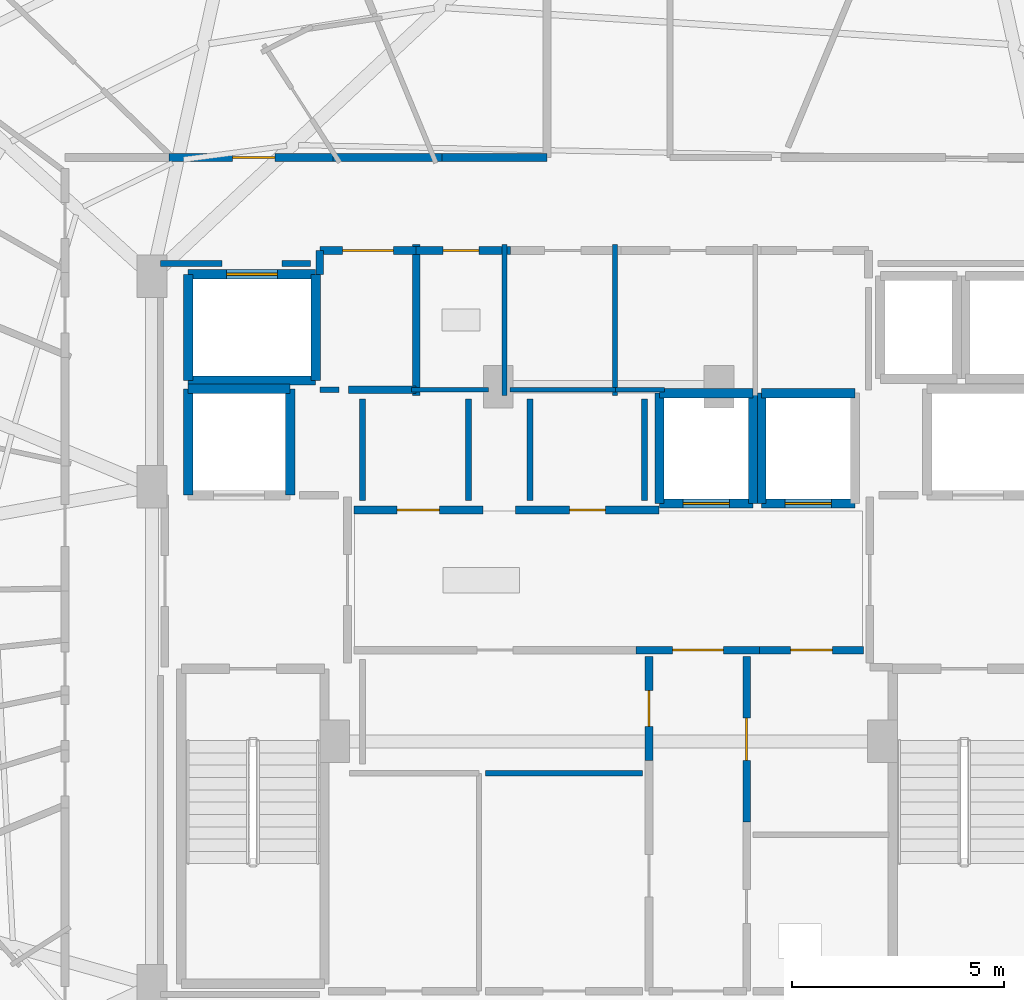
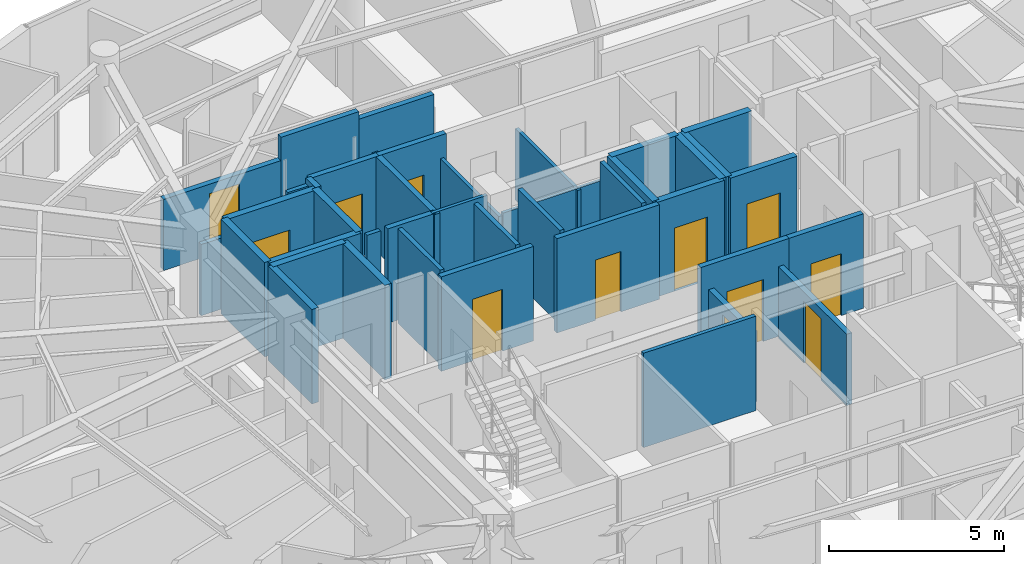
# One storey, part 25 of 31: 41 walls, 12 doors, 12 openings.
"""IFC4 building model written with IfcOpenShell, lengths in metres."""

from ifc_helpers import new_model, si_unit, direction, frame, frame_2d, origin, place, context, subcontext, project, spatial, rectangle, extrude, material, layer, layer_set, type_object, element, fill, save


model = new_model("IFC4")

# Units and contexts
model_context = context("Model", 3, precision=1e-05, world=origin(), true_north=direction((0.0, 1.0)))
body_context = subcontext(model_context, "Body", "Model", "MODEL_VIEW")
ifc_project = project(units=[si_unit("LENGTHUNIT", "METRE"), si_unit("AREAUNIT", "SQUARE_METRE"), si_unit("VOLUMEUNIT", "CUBIC_METRE"), si_unit("PLANEANGLEUNIT", "RADIAN"), si_unit("MASSUNIT", "GRAM", prefix="KILO")], contexts=[model_context])

# Site, building, storey
site_placement = place(None, origin())
site = spatial("IfcSite", under=ifc_project, at=site_placement, CompositionType="ELEMENT")
building_placement = place(site_placement, origin())
building = spatial("IfcBuilding", under=site, at=building_placement, Name="Vorneva Point Tower", CompositionType="ELEMENT")
storey_placement = place(building_placement, frame((0.0, 0.0, 248.449951171875)))
storey = spatial("IfcBuildingStorey", under=building, at=storey_placement, Name="L67", CompositionType="ELEMENT", Elevation=248.449951171875)

# Walls
ifc_material_1 = material(Name="Concrete B60 (C50/60)", Category="concrete")
ifc_layer_1 = layer(ifc_material_1, 0.35009765625)
ifc_layer_set_1 = layer_set([ifc_layer_1], Name="Concrete B60 (C50/60)")
wall_type_1 = type_object("IfcWallType", Name="WL-CORE-350", PredefinedType="SHEAR", material=ifc_layer_set_1)
wall_1_placement = place(storey_placement, frame((30.5, 28.0, 0.0), z_axis=(0.0, 0.0, 1.0), x_axis=(0.0, 1.0, 0.0)))
element("IfcWall", 1, at=wall_1_placement, inside=storey, type_object=wall_type_1, Name="L67 Lift FFL1 Shaft Wall +X", PredefinedType="SHEAR", context=body_context, shape_type="SweptSolid", body=[
    extrude(rectangle(XDim=2.5, YDim=0.219970703125, at=frame_2d((1.25, 0.0))), origin(), (0.0, 0.0, 1.0), 3.2900390625),
])
wall_2_placement = place(storey_placement, frame((30.5, 30.5, 0.0), z_axis=(0.0, 0.0, 1.0), x_axis=(-1.0, 0.0, 0.0)))
element("IfcWall", 2, at=wall_2_placement, inside=storey, type_object=wall_type_1, Name="L67 Lift FFL1 Shaft Wall +Y", PredefinedType="SHEAR", context=body_context, shape_type="SweptSolid", body=[
    extrude(rectangle(XDim=2.39990234375, YDim=0.219970703125, at=frame_2d((1.199951171875, 0.0))), origin(), (0.0, 0.0, 1.0), 3.2900390625),
])
wall_3_placement = place(storey_placement, frame((28.10009765625, 30.5, 0.0), z_axis=(0.0, 0.0, 1.0), x_axis=(0.0, -1.0, 0.0)))
element("IfcWall", 3, at=wall_3_placement, inside=storey, type_object=wall_type_1, Name="L67 Lift FFL1 Shaft Wall -X", PredefinedType="SHEAR", context=body_context, shape_type="SweptSolid", body=[
    extrude(rectangle(XDim=2.5, YDim=0.219970703125, at=frame_2d((1.25, 0.0))), origin(), (0.0, 0.0, 1.0), 3.2900390625),
])
ifc_material_2 = material(Name="Fire-rated acoustic gypsum stud partition", Category="gypsum")
ifc_layer_2 = layer(ifc_material_2, 0.110107421875)
ifc_layer_set_2 = layer_set([ifc_layer_2], Name="Fire-rated acoustic gypsum stud partition")
wall_type_2 = type_object("IfcWallType", Name="WL-PART-110", PredefinedType="PARTITIONING", material=ifc_layer_set_2)
wall_4_placement = place(storey_placement, frame((35.550048828125, 30.340087890625, 0.0), z_axis=(0.0, 0.0, 1.0), x_axis=(0.0, 1.0, 0.0)))
element("IfcWall", 4, at=wall_4_placement, inside=storey, type_object=wall_type_2, Name="L67 Interior Partition 022", PredefinedType="PARTITIONING", context=body_context, shape_type="SweptSolid", body=[
    extrude(rectangle(XDim=3.559814453125, YDim=0.110107421875, at=frame_2d((1.77978515625, 0.0))), origin(), (0.0, 0.0, 1.0), 2.48193359375),
])
wall_5_placement = place(storey_placement, frame((33.360107421875, 30.47998046875, 0.0), z_axis=(0.0, 0.0, 1.0), x_axis=(1.0, 0.0, 0.0)))
element("IfcWall", 5, at=wall_5_placement, inside=storey, type_object=wall_type_2, Name="L67 Interior Partition 023", PredefinedType="PARTITIONING", context=body_context, shape_type="SweptSolid", body=[
    extrude(rectangle(XDim=1.809814453125, YDim=0.110107421875, at=frame_2d((0.90478515625, 0.0))), origin(), (0.0, 0.0, 1.0), 3.2900390625),
])
wall_6_placement = place(storey_placement, frame((38.14990234375, 30.340087890625, 0.0), z_axis=(0.0, 0.0, 1.0), x_axis=(0.0, 1.0, 0.0)))
element("IfcWall", 6, at=wall_6_placement, inside=storey, type_object=wall_type_2, Name="L67 Interior Partition 025", PredefinedType="PARTITIONING", context=body_context, shape_type="SweptSolid", body=[
    extrude(rectangle(XDim=3.559814453125, YDim=0.110107421875, at=frame_2d((1.77978515625, 0.0))), origin(), (0.0, 0.0, 1.0), 2.48193359375),
])
wall_7_placement = place(storey_placement, frame((35.679931640625, 30.47998046875, 0.0), z_axis=(0.0, 0.0, 1.0), x_axis=(1.0, 0.0, 0.0)))
element("IfcWall", 7, at=wall_7_placement, inside=storey, type_object=wall_type_2, Name="L67 Interior Partition 026", PredefinedType="PARTITIONING", context=body_context, shape_type="SweptSolid", body=[
    extrude(rectangle(XDim=2.594970703125, YDim=0.110107421875, at=frame_2d((1.29736328125, 0.0))), origin(), (0.0, 0.0, 1.0), 2.48193359375),
])
wall_8_placement = place(storey_placement, frame((38.1650390625, 30.47998046875, 0.0), z_axis=(0.0, 0.0, 1.0), x_axis=(1.0, 0.0, 0.0)))
element("IfcWall", 8, at=wall_8_placement, inside=storey, type_object=wall_type_2, Name="L67 Interior Partition 029", PredefinedType="PARTITIONING", context=body_context, shape_type="SweptSolid", body=[
    extrude(rectangle(XDim=1.155029296875, YDim=0.110107421875, at=frame_2d((0.57763671875, 0.0))), origin(), (0.0, 0.0, 1.0), 2.48193359375),
])
ifc_layer_3 = layer(ifc_material_2, 0.125)
ifc_layer_set_3 = layer_set([ifc_layer_3], Name="Fire-rated acoustic gypsum stud partition")
wall_type_3 = type_object("IfcWallType", Name="WL-PART-125", PredefinedType="PARTITIONING", material=ifc_layer_set_3)
wall_9_placement = place(storey_placement, frame((38.800048828125, 21.449951171875, 0.0), z_axis=(0.0, 0.0, 1.0), x_axis=(-1.0, 0.0, 0.0)))
element("IfcWall", 9, at=wall_9_placement, inside=storey, type_object=wall_type_3, Name="L67 Interior Partition 036", PredefinedType="PARTITIONING", context=body_context, shape_type="SweptSolid", body=[
    extrude(rectangle(XDim=3.699951171875, YDim=0.125, at=frame_2d((1.85009765625, 0.0))), origin(), (0.0, 0.0, 1.0), 3.2900390625),
])
ifc_layer_4 = layer(ifc_material_2, 0.139892578125)
ifc_layer_set_4 = layer_set([ifc_layer_4], Name="Fire-rated acoustic gypsum stud partition")
wall_type_4 = type_object("IfcWallType", Name="WL-PART-140", PredefinedType="PARTITIONING", material=ifc_layer_set_4)
wall_10_placement = place(storey_placement, frame((31.199951171875, 30.47998046875, 0.0), z_axis=(0.0, 0.0, 1.0), x_axis=(1.0, 0.0, 0.0)))
element("IfcWall", 10, at=wall_10_placement, inside=storey, type_object=wall_type_4, Name="L67 Interior Closure Partition 130", PredefinedType="PARTITIONING", context=body_context, shape_type="SweptSolid", body=[
    extrude(rectangle(XDim=0.449951171875, YDim=0.139892578125, at=frame_2d((0.22509765625, 0.0))), origin(), (0.0, 0.0, 1.0), 3.2900390625),
])
for number, where, z_axis, x_axis, name in (
    (11, (32.199951171875, 30.260009765625, 0.0), (0.0, 0.0, 1.0), (0.0, -1.0, 0.0), "L67 Interior Closure Partition 132"),
    (12, (34.699951171875, 27.8701171875, 0.0), (0.0, 0.0, 1.0), (0.0, 1.0, 0.0), "L67 Interior Closure Partition 133"),
    (13, (36.14990234375, 30.260009765625, 0.0), (0.0, 0.0, 1.0), (0.0, -1.0, 0.0), "L67 Interior Closure Partition 134"),
    (14, (38.85009765625, 27.8701171875, 0.0), (0.0, 0.0, 1.0), (0.0, 1.0, 0.0), "L67 Interior Closure Partition 135"),
):
    element("IfcWall", number, at=place(storey_placement, frame(where, z_axis=z_axis, x_axis=x_axis)), inside=storey, type_object=wall_type_4, Name=name, PredefinedType="PARTITIONING", context=body_context, shape_type="SweptSolid", body=[
        extrude(rectangle(XDim=2.389892578125, YDim=0.139892578125, at=frame_2d((1.19482421875, 0.0))), origin(), (0.0, 0.0, 1.0), 3.2900390625),
    ])
wall_11_placement = place(storey_placement, frame((30.97998046875, 33.449951171875, 0.0), z_axis=(0.0, 0.0, 1.0), x_axis=(-1.0, 0.0, 0.0)))
element("IfcWall", 15, at=wall_11_placement, inside=storey, type_object=wall_type_4, Name="L67 Interior Closure Partition 145", PredefinedType="PARTITIONING", context=body_context, shape_type="SweptSolid", body=[
    extrude(rectangle(XDim=0.674072265625, YDim=0.139892578125, at=frame_2d((0.3369140625, 0.0))), origin(), (0.0, 0.0, 1.0), 3.2900390625),
])
wall_12_placement = place(storey_placement, frame((28.89404296875, 33.449951171875, 0.0), z_axis=(0.0, 0.0, 1.0), x_axis=(-1.0, 0.0, 0.0)))
element("IfcWall", 16, at=wall_12_placement, inside=storey, type_object=wall_type_4, Name="L67 Interior Closure Partition 146", PredefinedType="PARTITIONING", context=body_context, shape_type="SweptSolid", body=[
    extrude(rectangle(XDim=1.444091796875, YDim=0.139892578125, at=frame_2d((0.72216796875, 0.0))), origin(), (0.0, 0.0, 1.0), 2.48193359375),
])
ifc_material_3 = material(Name="Autoclaved aerated concrete blockwork", Category="masonry")
ifc_layer_5 = layer(ifc_material_3, 0.179931640625)
ifc_layer_set_5 = layer_set([ifc_layer_5], Name="Autoclaved aerated concrete blockwork")
wall_type_5 = type_object("IfcWallType", Name="WL-PART-180", PredefinedType="PARTITIONING", material=ifc_layer_set_5)
wall_13_placement = place(storey_placement, frame((33.469970703125, 30.340087890625, 0.0), z_axis=(0.0, 0.0, 1.0), x_axis=(0.0, 1.0, 0.0)))
element("IfcWall", 17, at=wall_13_placement, inside=storey, type_object=wall_type_5, Name="L67 Interior Partition 006", PredefinedType="PARTITIONING", context=body_context, shape_type="SweptSolid", body=[
    extrude(rectangle(XDim=3.559814453125, YDim=0.179931640625, at=frame_2d((1.77978515625, 0.0))), origin(), (0.0, 0.0, 1.0), 3.2900390625),
])
wall_14_placement = place(storey_placement, frame((31.8701171875, 30.47998046875, 0.0), z_axis=(0.0, 0.0, 1.0), x_axis=(1.0, 0.0, 0.0)))
element("IfcWall", 18, at=wall_14_placement, inside=storey, type_object=wall_type_5, Name="L67 Interior Partition 007", PredefinedType="PARTITIONING", context=body_context, shape_type="SweptSolid", body=[
    extrude(rectangle(XDim=1.599853515625, YDim=0.179931640625, at=frame_2d((0.7998046875, 0.0))), origin(), (0.0, 0.0, 1.0), 3.2900390625),
])

# Wall, opening, door
wall_15_placement = place(storey_placement, frame((33.469970703125, 33.760009765625, 0.0), z_axis=(0.0, 0.0, 1.0), x_axis=(-1.0, 0.0, 0.0)))
wall_15 = element("IfcWall", 19, at=wall_15_placement, inside=storey, type_object=wall_type_5, Name="L67 Interior Partition 008", PredefinedType="PARTITIONING", context=body_context, shape_type="SweptSolid", body=[
    extrude(rectangle(XDim=2.27001953125, YDim=0.179931640625, at=frame_2d((1.135009765625, 0.0))), origin(), (0.0, 0.0, 1.0), 3.2900390625),
])
opening_1_placement = place(wall_15_placement, frame((0.534912109375, 0.0, 0.0)))
opening_1 = element("IfcOpeningElement", 20, at=opening_1_placement, cuts=wall_15, Name="Opening FD-02", PredefinedType="OPENING", context=body_context, shape_type="SweptSolid", body=[
    extrude(rectangle(XDim=1.199951171875, YDim=2.14990234375, at=frame_2d((0.60009765625, 1.074951171875))), frame((0.0, 0.10498046875, 0.0), z_axis=(0.0, -1.0, 0.0), x_axis=(1.0, 0.0, 0.0)), (0.0, 0.0, 1.0), 0.209716796875),
])
ifc_material_4 = material(Name="Fire-rated powder-coated steel", Category="steel")
door_type_1 = type_object("IfcDoorType", Name="DR-FFL-1200", OperationType="NOTDEFINED", PredefinedType="DOOR", material=ifc_material_4)
door_1_placement = place(opening_1_placement, origin())
door_1 = element("IfcDoor", 21, at=door_1_placement, inside=storey, type_object=door_type_1, Name="L67 Door Service Lift Lobby / L67 Circulation Corridor", OperationType="SINGLE_SWING_LEFT", OverallHeight=2.14990234375, OverallWidth=1.199951171875, PredefinedType="DOOR", context=body_context, shape_type="SweptSolid", body=[
    extrude(rectangle(XDim=1.199951171875, YDim=2.14990234375, at=frame_2d((0.60009765625, 1.074951171875))), frame((0.0, 0.02490234375, 0.0), z_axis=(0.0, -1.0, 0.0), x_axis=(1.0, 0.0, 0.0)), (0.0, 0.0, 1.0), 0.050048828125),
])
fill(opening_1, door_1)

# Wall
wall_16_placement = place(storey_placement, frame((31.199951171875, 33.760009765625, 0.0), z_axis=(0.0, 0.0, 1.0), x_axis=(0.0, -1.0, 0.0)))
element("IfcWall", 22, at=wall_16_placement, inside=storey, type_object=wall_type_5, Name="L67 Interior Partition 009", PredefinedType="PARTITIONING", context=body_context, shape_type="SweptSolid", body=[
    extrude(rectangle(XDim=0.56005859375, YDim=0.179931640625, at=frame_2d((0.280029296875, 0.0))), origin(), (0.0, 0.0, 1.0), 3.2900390625),
])

# Wall, opening, door
wall_17_placement = place(storey_placement, frame((38.64501953125, 24.35009765625, 0.0), z_axis=(0.0, 0.0, 1.0), x_axis=(1.0, 0.0, 0.0)))
wall_17 = element("IfcWall", 23, at=wall_17_placement, inside=storey, type_object=wall_type_5, Name="L67 Interior Partition 010", PredefinedType="PARTITIONING", context=body_context, shape_type="SweptSolid", body=[
    extrude(rectangle(XDim=2.909912109375, YDim=0.179931640625, at=frame_2d((1.455078125, 0.0))), origin(), (0.0, 0.0, 1.0), 3.2900390625),
])
opening_2_placement = place(wall_17_placement, frame((0.85498046875, 0.0, 0.0)))
opening_2 = element("IfcOpeningElement", 24, at=opening_2_placement, cuts=wall_17, Name="Opening FD-02", PredefinedType="OPENING", context=body_context, shape_type="SweptSolid", body=[
    extrude(rectangle(XDim=1.199951171875, YDim=2.14990234375, at=frame_2d((0.60009765625, 1.074951171875))), frame((0.0, 0.10498046875, 0.0), z_axis=(0.0, -1.0, 0.0), x_axis=(1.0, 0.0, 0.0)), (0.0, 0.0, 1.0), 0.209716796875),
])
door_2_placement = place(opening_2_placement, origin())
door_2 = element("IfcDoor", 25, at=door_2_placement, inside=storey, type_object=door_type_1, Name="L67 Door Central Lift Lobby / Core Service Lobby", OperationType="SINGLE_SWING_RIGHT", OverallHeight=2.14990234375, OverallWidth=1.199951171875, PredefinedType="DOOR", context=body_context, shape_type="SweptSolid", body=[
    extrude(rectangle(XDim=1.199951171875, YDim=2.14990234375, at=frame_2d((0.60009765625, 1.074951171875))), frame((0.0, 0.02490234375, 0.0), z_axis=(0.0, -1.0, 0.0), x_axis=(1.0, 0.0, 0.0)), (0.0, 0.0, 1.0), 0.050048828125),
])
fill(opening_2, door_2)

wall_18_placement = place(storey_placement, frame((41.554931640625, 24.35009765625, 0.0), z_axis=(0.0, 0.0, 1.0), x_axis=(1.0, 0.0, 0.0)))
wall_18 = element("IfcWall", 26, at=wall_18_placement, inside=storey, type_object=wall_type_5, Name="L67 Interior Partition 011", PredefinedType="PARTITIONING", context=body_context, shape_type="SweptSolid", body=[
    extrude(rectangle(XDim=2.445068359375, YDim=0.179931640625, at=frame_2d((1.22265625, 0.0))), origin(), (0.0, 0.0, 1.0), 3.2900390625),
])
opening_3_placement = place(wall_18_placement, frame((0.722412109375, 0.0, 0.0)))
opening_3 = element("IfcOpeningElement", 27, at=opening_3_placement, cuts=wall_18, Name="Opening UD-01", PredefinedType="OPENING", context=body_context, shape_type="SweptSolid", body=[
    extrude(rectangle(XDim=1.0, YDim=2.14990234375, at=frame_2d((0.5, 1.074951171875))), frame((0.0, 0.10498046875, 0.0), z_axis=(0.0, -1.0, 0.0), x_axis=(1.0, 0.0, 0.0)), (0.0, 0.0, 1.0), 0.209716796875),
])
ifc_material_5 = material(Name="Engineered oak fire-rated door leaf", Category="wood")
door_type_2 = type_object("IfcDoorType", Name="DR-UNIT-1000", OperationType="NOTDEFINED", PredefinedType="DOOR", material=ifc_material_5)
door_3_placement = place(opening_3_placement, origin())
door_3 = element("IfcDoor", 28, at=door_3_placement, inside=storey, type_object=door_type_2, Name="L67 Door Central Lift Lobby / Floor Management Office", OperationType="SINGLE_SWING_LEFT", OverallHeight=2.14990234375, OverallWidth=1.0, PredefinedType="DOOR", context=body_context, shape_type="SweptSolid", body=[
    extrude(rectangle(XDim=1.0, YDim=2.14990234375, at=frame_2d((0.5, 1.074951171875))), frame((0.0, 0.02490234375, 0.0), z_axis=(0.0, -1.0, 0.0), x_axis=(1.0, 0.0, 0.0)), (0.0, 0.0, 1.0), 0.050048828125),
])
fill(opening_3, door_3)

wall_19_placement = place(storey_placement, frame((35.0400390625, 27.64990234375, 0.0), z_axis=(0.0, 0.0, 1.0), x_axis=(-1.0, 0.0, 0.0)))
wall_19 = element("IfcWall", 29, at=wall_19_placement, inside=storey, type_object=wall_type_5, Name="L67 Interior Partition 012", PredefinedType="PARTITIONING", context=body_context, shape_type="SweptSolid", body=[
    extrude(rectangle(XDim=3.0400390625, YDim=0.179931640625, at=frame_2d((1.52001953125, 0.0))), origin(), (0.0, 0.0, 1.0), 3.2900390625),
])
opening_4_placement = place(wall_19_placement, frame((1.02001953125, 0.0, 0.0)))
opening_4 = element("IfcOpeningElement", 30, at=opening_4_placement, cuts=wall_19, Name="Opening UD-01", PredefinedType="OPENING", context=body_context, shape_type="SweptSolid", body=[
    extrude(rectangle(XDim=1.0, YDim=2.14990234375, at=frame_2d((0.5, 1.074951171875))), frame((0.0, 0.10498046875, 0.0), z_axis=(0.0, -1.0, 0.0), x_axis=(1.0, 0.0, 0.0)), (0.0, 0.0, 1.0), 0.209716796875),
])
door_4_placement = place(opening_4_placement, origin())
door_4 = element("IfcDoor", 31, at=door_4_placement, inside=storey, type_object=door_type_2, Name="L67 Door Central Lift Lobby / Reclaimed Core Lounge", OperationType="SINGLE_SWING_RIGHT", OverallHeight=2.14990234375, OverallWidth=1.0, PredefinedType="DOOR", context=body_context, shape_type="SweptSolid", body=[
    extrude(rectangle(XDim=1.0, YDim=2.14990234375, at=frame_2d((0.5, 1.074951171875))), frame((0.0, 0.02490234375, 0.0), z_axis=(0.0, -1.0, 0.0), x_axis=(1.0, 0.0, 0.0)), (0.0, 0.0, 1.0), 0.050048828125),
])
fill(opening_4, door_4)

wall_20_placement = place(storey_placement, frame((39.18994140625, 27.64990234375, 0.0), z_axis=(0.0, 0.0, 1.0), x_axis=(-1.0, 0.0, 0.0)))
wall_20 = element("IfcWall", 32, at=wall_20_placement, inside=storey, type_object=wall_type_5, Name="L67 Interior Partition 013", PredefinedType="PARTITIONING", context=body_context, shape_type="SweptSolid", body=[
    extrude(rectangle(XDim=3.3798828125, YDim=0.179931640625, at=frame_2d((1.68994140625, 0.0))), origin(), (0.0, 0.0, 1.0), 3.2900390625),
])
opening_5_placement = place(wall_20_placement, frame((1.264892578125, 0.0, 0.0)))
opening_5 = element("IfcOpeningElement", 33, at=opening_5_placement, cuts=wall_20, Name="Opening ID-02", PredefinedType="OPENING", context=body_context, shape_type="SweptSolid", body=[
    extrude(rectangle(XDim=0.85009765625, YDim=2.10009765625, at=frame_2d((0.425048828125, 1.050048828125))), frame((0.0, 0.10498046875, 0.0), z_axis=(0.0, -1.0, 0.0), x_axis=(1.0, 0.0, 0.0)), (0.0, 0.0, 1.0), 0.209716796875),
])
door_type_3 = type_object("IfcDoorType", Name="DR-BATH-850", OperationType="NOTDEFINED", PredefinedType="DOOR", material=ifc_material_5)
door_5_placement = place(opening_5_placement, origin())
door_5 = element("IfcDoor", 34, at=door_5_placement, inside=storey, type_object=door_type_3, Name="L67 Door Central Lift Lobby / Reclaimed Core Archive Store", OperationType="SINGLE_SWING_LEFT", OverallHeight=2.10009765625, OverallWidth=0.85009765625, PredefinedType="DOOR", context=body_context, shape_type="SweptSolid", body=[
    extrude(rectangle(XDim=0.85009765625, YDim=2.10009765625, at=frame_2d((0.425048828125, 1.050048828125))), frame((0.0, 0.02490234375, 0.0), z_axis=(0.0, -1.0, 0.0), x_axis=(1.0, 0.0, 0.0)), (0.0, 0.0, 1.0), 0.050048828125),
])
fill(opening_5, door_5)

wall_21_placement = place(storey_placement, frame((41.25, 20.304931640625, 0.0), z_axis=(0.0, 0.0, 1.0), x_axis=(0.0, 1.0, 0.0)))
wall_21 = element("IfcWall", 35, at=wall_21_placement, inside=storey, type_object=wall_type_5, Name="L67 Interior Partition 016", PredefinedType="PARTITIONING", context=body_context, shape_type="SweptSolid", body=[
    extrude(rectangle(XDim=3.89501953125, YDim=0.179931640625, at=frame_2d((1.947509765625, 0.0))), origin(), (0.0, 0.0, 1.0), 2.48193359375),
])
opening_6_placement = place(wall_21_placement, frame((1.447509765625, 0.0, 0.0)))
opening_6 = element("IfcOpeningElement", 36, at=opening_6_placement, cuts=wall_21, Name="Opening UD-01", PredefinedType="OPENING", context=body_context, shape_type="SweptSolid", body=[
    extrude(rectangle(XDim=1.0, YDim=2.14990234375, at=frame_2d((0.5, 1.074951171875))), frame((0.0, 0.10498046875, 0.0), z_axis=(0.0, -1.0, 0.0), x_axis=(1.0, 0.0, 0.0)), (0.0, 0.0, 1.0), 0.209716796875),
])
door_6_placement = place(opening_6_placement, origin())
door_6 = element("IfcDoor", 37, at=door_6_placement, inside=storey, type_object=door_type_2, Name="L67 Door Core Service Lobby / Floor Management Office", OperationType="SINGLE_SWING_RIGHT", OverallHeight=2.14990234375, OverallWidth=1.0, PredefinedType="DOOR", context=body_context, shape_type="SweptSolid", body=[
    extrude(rectangle(XDim=1.0, YDim=2.14990234375, at=frame_2d((0.5, 1.074951171875))), frame((0.0, 0.02490234375, 0.0), z_axis=(0.0, -1.0, 0.0), x_axis=(1.0, 0.0, 0.0)), (0.0, 0.0, 1.0), 0.050048828125),
])
fill(opening_6, door_6)

wall_22_placement = place(storey_placement, frame((38.949951171875, 24.199951171875, 0.0), z_axis=(0.0, 0.0, 1.0), x_axis=(0.0, -1.0, 0.0)))
wall_22 = element("IfcWall", 38, at=wall_22_placement, inside=storey, type_object=wall_type_5, Name="L67 Interior Partition 018", PredefinedType="PARTITIONING", context=body_context, shape_type="SweptSolid", body=[
    extrude(rectangle(XDim=2.445068359375, YDim=0.179931640625, at=frame_2d((1.22265625, 0.0))), origin(), (0.0, 0.0, 1.0), 2.48193359375),
])
opening_7_placement = place(wall_22_placement, frame((0.797607421875, 0.0, 0.0)))
opening_7 = element("IfcOpeningElement", 39, at=opening_7_placement, cuts=wall_22, Name="Opening ID-02", PredefinedType="OPENING", context=body_context, shape_type="SweptSolid", body=[
    extrude(rectangle(XDim=0.85009765625, YDim=2.10009765625, at=frame_2d((0.425048828125, 1.050048828125))), frame((0.0, 0.10498046875, 0.0), z_axis=(0.0, -1.0, 0.0), x_axis=(1.0, 0.0, 0.0)), (0.0, 0.0, 1.0), 0.209716796875),
])
door_7_placement = place(opening_7_placement, origin())
door_7 = element("IfcDoor", 40, at=door_7_placement, inside=storey, type_object=door_type_3, Name="L67 Door Core Service Lobby / Reclaimed High-Zone Wine Vault", OperationType="SINGLE_SWING_RIGHT", OverallHeight=2.10009765625, OverallWidth=0.85009765625, PredefinedType="DOOR", context=body_context, shape_type="SweptSolid", body=[
    extrude(rectangle(XDim=0.85009765625, YDim=2.10009765625, at=frame_2d((0.425048828125, 1.050048828125))), frame((0.0, 0.02490234375, 0.0), z_axis=(0.0, -1.0, 0.0), x_axis=(1.0, 0.0, 0.0)), (0.0, 0.0, 1.0), 0.050048828125),
])
fill(opening_7, door_7)

wall_23_placement = place(storey_placement, frame((35.68994140625, 33.760009765625, 0.0), z_axis=(0.0, 0.0, 1.0), x_axis=(-1.0, 0.0, 0.0)))
wall_23 = element("IfcWall", 41, at=wall_23_placement, inside=storey, type_object=wall_type_5, Name="L67 Interior Partition 024", PredefinedType="PARTITIONING", context=body_context, shape_type="SweptSolid", body=[
    extrude(rectangle(XDim=2.329833984375, YDim=0.179931640625, at=frame_2d((1.1650390625, 0.0))), origin(), (0.0, 0.0, 1.0), 3.2900390625),
])
opening_8_placement = place(wall_23_placement, frame((0.739990234375, 0.0, 0.0)))
opening_8 = element("IfcOpeningElement", 42, at=opening_8_placement, cuts=wall_23, Name="Opening ID-02", PredefinedType="OPENING", context=body_context, shape_type="SweptSolid", body=[
    extrude(rectangle(XDim=0.85009765625, YDim=2.10009765625, at=frame_2d((0.425048828125, 1.050048828125))), frame((0.0, 0.10498046875, 0.0), z_axis=(0.0, -1.0, 0.0), x_axis=(1.0, 0.0, 0.0)), (0.0, 0.0, 1.0), 0.209716796875),
])
door_8_placement = place(opening_8_placement, origin())
door_8 = element("IfcDoor", 43, at=door_8_placement, inside=storey, type_object=door_type_3, Name="L67 Door Accessible WC / L67 Circulation Corridor", OperationType="SINGLE_SWING_LEFT", OverallHeight=2.10009765625, OverallWidth=0.85009765625, PredefinedType="DOOR", context=body_context, shape_type="SweptSolid", body=[
    extrude(rectangle(XDim=0.85009765625, YDim=2.10009765625, at=frame_2d((0.425048828125, 1.050048828125))), frame((0.0, 0.02490234375, 0.0), z_axis=(0.0, -1.0, 0.0), x_axis=(1.0, 0.0, 0.0)), (0.0, 0.0, 1.0), 0.050048828125),
])
fill(opening_8, door_8)

wall_24_placement = place(storey_placement, frame((31.64892578125, 35.949951171875, 0.0), z_axis=(0.0, 0.0, 1.0), x_axis=(-1.0, 0.0, 0.0)))
wall_24 = element("IfcWall", 44, at=wall_24_placement, inside=storey, type_object=wall_type_5, Name="L67 Interior Partition 038", PredefinedType="PARTITIONING", context=body_context, shape_type="SweptSolid", body=[
    extrude(rectangle(XDim=4.0029296875, YDim=0.179931640625, at=frame_2d((2.00146484375, 0.0))), origin(), (0.0, 0.0, 1.0), 2.48193359375),
])
opening_9_placement = place(wall_24_placement, frame((1.50146484375, 0.0, 0.0)))
opening_9 = element("IfcOpeningElement", 45, at=opening_9_placement, cuts=wall_24, Name="Opening UD-01", PredefinedType="OPENING", context=body_context, shape_type="SweptSolid", body=[
    extrude(rectangle(XDim=1.0, YDim=2.14990234375, at=frame_2d((0.5, 1.074951171875))), frame((0.0, 0.10498046875, 0.0), z_axis=(0.0, -1.0, 0.0), x_axis=(1.0, 0.0, 0.0)), (0.0, 0.0, 1.0), 0.209716796875),
])
door_9_placement = place(opening_9_placement, origin())
door_9 = element("IfcDoor", 46, at=door_9_placement, inside=storey, type_object=door_type_2, Name="L67 Door L67 Circulation Corridor / Living and Dining Room L67-01", OperationType="SINGLE_SWING_LEFT", OverallHeight=2.14990234375, OverallWidth=1.0, PredefinedType="DOOR", context=body_context, shape_type="SweptSolid", body=[
    extrude(rectangle(XDim=1.0, YDim=2.14990234375, at=frame_2d((0.5, 1.074951171875))), frame((0.0, 0.02490234375, 0.0), z_axis=(0.0, -1.0, 0.0), x_axis=(1.0, 0.0, 0.0)), (0.0, 0.0, 1.0), 0.050048828125),
])
fill(opening_9, door_9)

# Walls
wall_25_placement = place(storey_placement, frame((34.0791015625, 35.949951171875, 0.0), z_axis=(0.0, 0.0, 1.0), x_axis=(-1.0, 0.0, 0.0)))
element("IfcWall", 47, at=wall_25_placement, inside=storey, type_object=wall_type_5, Name="L67 Interior Partition 039", PredefinedType="PARTITIONING", context=body_context, shape_type="SweptSolid", body=[
    extrude(rectangle(XDim=2.570068359375, YDim=0.179931640625, at=frame_2d((1.28515625, 0.0))), origin(), (0.0, 0.0, 1.0), 3.2900390625),
])
wall_26_placement = place(storey_placement, frame((36.550048828125, 35.949951171875, 0.0), z_axis=(0.0, 0.0, 1.0), x_axis=(-1.0, 0.0, 0.0)))
element("IfcWall", 48, at=wall_26_placement, inside=storey, type_object=wall_type_5, Name="L67 Interior Partition 070", PredefinedType="PARTITIONING", context=body_context, shape_type="SweptSolid", body=[
    extrude(rectangle(XDim=2.470947265625, YDim=0.179931640625, at=frame_2d((1.2353515625, 0.0))), origin(), (0.0, 0.0, 1.0), 3.02197265625),
])

# Wall, opening, door
ifc_material_6 = material(Name="Concrete B50 (C40/50)", Category="concrete")
ifc_layer_6 = layer(ifc_material_6, 0.219970703125)
ifc_layer_set_6 = layer_set([ifc_layer_6], Name="Concrete B50 (C40/50)")
wall_type_6 = type_object("IfcWallType", Name="WL-SHFT-220", PredefinedType="SOLIDWALL", material=ifc_layer_set_6)
wall_27_placement = place(storey_placement, frame((39.199951171875, 27.800048828125, 0.0), z_axis=(0.0, 0.0, 1.0), x_axis=(1.0, 0.0, 0.0)))
wall_27 = element("IfcWall", 49, at=wall_27_placement, inside=storey, type_object=wall_type_6, Name="L67 Lift PL7 Shaft Wall -Y", PredefinedType="SOLIDWALL", context=body_context, shape_type="SweptSolid", body=[
    extrude(rectangle(XDim=2.199951171875, YDim=0.219970703125, at=frame_2d((1.10009765625, 0.0))), origin(), (0.0, 0.0, 1.0), 3.2900390625),
])
opening_10_placement = place(wall_27_placement, frame((0.550048828125, 0.0, 0.0)))
opening_10 = element("IfcOpeningElement", 50, at=opening_10_placement, cuts=wall_27, Name="Opening LD-01", PredefinedType="OPENING", context=body_context, shape_type="SweptSolid", body=[
    extrude(rectangle(XDim=1.10009765625, YDim=2.199951171875, at=frame_2d((0.550048828125, 1.10009765625))), frame((0.0, 0.125, 0.0), z_axis=(0.0, -1.0, 0.0), x_axis=(1.0, 0.0, 0.0)), (0.0, 0.0, 1.0), 0.249755859375),
])
ifc_material_7 = material(Name="Brushed stainless steel S304", Category="steel")
door_type_4 = type_object("IfcDoorType", Name="LD-PASS-1100", OperationType="SLIDING_TO_LEFT", PredefinedType="DOOR", material=ifc_material_7)
door_10_placement = place(opening_10_placement, origin())
door_10 = element("IfcDoor", 51, at=door_10_placement, inside=storey, type_object=door_type_4, Name="L67 Lift PL7 Sliding Landing Door", OperationType="SLIDING_TO_LEFT", OverallHeight=2.199951171875, OverallWidth=1.10009765625, PredefinedType="DOOR", context=body_context, shape_type="SweptSolid", body=[
    extrude(rectangle(XDim=1.10009765625, YDim=2.199951171875, at=frame_2d((0.550048828125, 1.10009765625))), frame((0.0, 0.02490234375, 0.0), z_axis=(0.0, -1.0, 0.0), x_axis=(1.0, 0.0, 0.0)), (0.0, 0.0, 1.0), 0.050048828125),
])
fill(opening_10, door_10)

# Walls
wall_28_placement = place(storey_placement, frame((41.39990234375, 27.800048828125, 0.0), z_axis=(0.0, 0.0, 1.0), x_axis=(0.0, 1.0, 0.0)))
element("IfcWall", 52, at=wall_28_placement, inside=storey, type_object=wall_type_6, Name="L67 Lift PL7 Shaft Wall +X", PredefinedType="SOLIDWALL", context=body_context, shape_type="SweptSolid", body=[
    extrude(rectangle(XDim=2.599853515625, YDim=0.219970703125, at=frame_2d((1.2998046875, 0.0))), origin(), (0.0, 0.0, 1.0), 3.2900390625),
])
wall_29_placement = place(storey_placement, frame((41.39990234375, 30.39990234375, 0.0), z_axis=(0.0, 0.0, 1.0), x_axis=(-1.0, 0.0, 0.0)))
element("IfcWall", 53, at=wall_29_placement, inside=storey, type_object=wall_type_6, Name="L67 Lift PL7 Shaft Wall +Y", PredefinedType="SOLIDWALL", context=body_context, shape_type="SweptSolid", body=[
    extrude(rectangle(XDim=2.199951171875, YDim=0.219970703125, at=frame_2d((1.10009765625, 0.0))), origin(), (0.0, 0.0, 1.0), 3.2900390625),
])
wall_30_placement = place(storey_placement, frame((39.199951171875, 30.39990234375, 0.0), z_axis=(0.0, 0.0, 1.0), x_axis=(0.0, -1.0, 0.0)))
element("IfcWall", 54, at=wall_30_placement, inside=storey, type_object=wall_type_6, Name="L67 Lift PL7 Shaft Wall -X", PredefinedType="SOLIDWALL", context=body_context, shape_type="SweptSolid", body=[
    extrude(rectangle(XDim=2.599853515625, YDim=0.219970703125, at=frame_2d((1.2998046875, 0.0))), origin(), (0.0, 0.0, 1.0), 3.2900390625),
])

# Wall, opening, door
wall_31_placement = place(storey_placement, frame((41.60009765625, 27.800048828125, 0.0), z_axis=(0.0, 0.0, 1.0), x_axis=(1.0, 0.0, 0.0)))
wall_31 = element("IfcWall", 55, at=wall_31_placement, inside=storey, type_object=wall_type_6, Name="L67 Lift PL8 Shaft Wall -Y", PredefinedType="SOLIDWALL", context=body_context, shape_type="SweptSolid", body=[
    extrude(rectangle(XDim=2.199951171875, YDim=0.219970703125, at=frame_2d((1.10009765625, 0.0))), origin(), (0.0, 0.0, 1.0), 3.2900390625),
])
opening_11_placement = place(wall_31_placement, frame((0.550048828125, 0.0, 0.0)))
opening_11 = element("IfcOpeningElement", 56, at=opening_11_placement, cuts=wall_31, Name="Opening LD-01", PredefinedType="OPENING", context=body_context, shape_type="SweptSolid", body=[
    extrude(rectangle(XDim=1.10009765625, YDim=2.199951171875, at=frame_2d((0.550048828125, 1.10009765625))), frame((0.0, 0.125, 0.0), z_axis=(0.0, -1.0, 0.0), x_axis=(1.0, 0.0, 0.0)), (0.0, 0.0, 1.0), 0.249755859375),
])
door_11_placement = place(opening_11_placement, origin())
door_11 = element("IfcDoor", 57, at=door_11_placement, inside=storey, type_object=door_type_4, Name="L67 Lift PL8 Sliding Landing Door", OperationType="SLIDING_TO_LEFT", OverallHeight=2.199951171875, OverallWidth=1.10009765625, PredefinedType="DOOR", context=body_context, shape_type="SweptSolid", body=[
    extrude(rectangle(XDim=1.10009765625, YDim=2.199951171875, at=frame_2d((0.550048828125, 1.10009765625))), frame((0.0, 0.02490234375, 0.0), z_axis=(0.0, -1.0, 0.0), x_axis=(1.0, 0.0, 0.0)), (0.0, 0.0, 1.0), 0.050048828125),
])
fill(opening_11, door_11)

# Walls
wall_32_placement = place(storey_placement, frame((43.800048828125, 30.39990234375, 0.0), z_axis=(0.0, 0.0, 1.0), x_axis=(-1.0, 0.0, 0.0)))
element("IfcWall", 58, at=wall_32_placement, inside=storey, type_object=wall_type_6, Name="L67 Lift PL8 Shaft Wall +Y", PredefinedType="SOLIDWALL", context=body_context, shape_type="SweptSolid", body=[
    extrude(rectangle(XDim=2.199951171875, YDim=0.219970703125, at=frame_2d((1.10009765625, 0.0))), origin(), (0.0, 0.0, 1.0), 3.2900390625),
])
wall_33_placement = place(storey_placement, frame((41.60009765625, 30.39990234375, 0.0), z_axis=(0.0, 0.0, 1.0), x_axis=(0.0, -1.0, 0.0)))
element("IfcWall", 59, at=wall_33_placement, inside=storey, type_object=wall_type_6, Name="L67 Lift PL8 Shaft Wall -X", PredefinedType="SOLIDWALL", context=body_context, shape_type="SweptSolid", body=[
    extrude(rectangle(XDim=2.599853515625, YDim=0.219970703125, at=frame_2d((1.2998046875, 0.0))), origin(), (0.0, 0.0, 1.0), 3.2900390625),
])
wall_34_placement = place(storey_placement, frame((28.10009765625, 30.699951171875, 0.0), z_axis=(0.0, 0.0, 1.0), x_axis=(1.0, 0.0, 0.0)))
element("IfcWall", 60, at=wall_34_placement, inside=storey, type_object=wall_type_6, Name="L67 Lift SVL1 Shaft Wall -Y", PredefinedType="SOLIDWALL", context=body_context, shape_type="SweptSolid", body=[
    extrude(rectangle(XDim=3.0, YDim=0.219970703125, at=frame_2d((1.5, 0.0))), origin(), (0.0, 0.0, 1.0), 3.2900390625),
])
wall_35_placement = place(storey_placement, frame((31.10009765625, 30.699951171875, 0.0), z_axis=(0.0, 0.0, 1.0), x_axis=(0.0, 1.0, 0.0)))
element("IfcWall", 61, at=wall_35_placement, inside=storey, type_object=wall_type_6, Name="L67 Lift SVL1 Shaft Wall +X", PredefinedType="SOLIDWALL", context=body_context, shape_type="SweptSolid", body=[
    extrude(rectangle(XDim=2.5, YDim=0.219970703125, at=frame_2d((1.25, 0.0))), origin(), (0.0, 0.0, 1.0), 3.2900390625),
])

# Wall, opening, door
wall_36_placement = place(storey_placement, frame((31.10009765625, 33.199951171875, 0.0), z_axis=(0.0, 0.0, 1.0), x_axis=(-1.0, 0.0, 0.0)))
wall_36 = element("IfcWall", 62, at=wall_36_placement, inside=storey, type_object=wall_type_6, Name="L67 Lift SVL1 Shaft Wall +Y", PredefinedType="SOLIDWALL", context=body_context, shape_type="SweptSolid", body=[
    extrude(rectangle(XDim=3.0, YDim=0.219970703125, at=frame_2d((1.5, 0.0))), origin(), (0.0, 0.0, 1.0), 3.2900390625),
])
opening_12_placement = place(wall_36_placement, frame((0.89990234375, 0.0, 0.0)))
opening_12 = element("IfcOpeningElement", 63, at=opening_12_placement, cuts=wall_36, Name="Opening LD-02", PredefinedType="OPENING", context=body_context, shape_type="SweptSolid", body=[
    extrude(rectangle(XDim=1.199951171875, YDim=2.199951171875, at=frame_2d((0.60009765625, 1.10009765625))), frame((0.0, 0.125, 0.0), z_axis=(0.0, -1.0, 0.0), x_axis=(1.0, 0.0, 0.0)), (0.0, 0.0, 1.0), 0.249755859375),
])
door_type_5 = type_object("IfcDoorType", Name="LD-FIRE-1200", OperationType="SLIDING_TO_LEFT", PredefinedType="DOOR", material=ifc_material_7)
door_12_placement = place(opening_12_placement, origin())
door_12 = element("IfcDoor", 64, at=door_12_placement, inside=storey, type_object=door_type_5, Name="L67 Lift SVL1 Sliding Landing Door", OperationType="SLIDING_TO_LEFT", OverallHeight=2.199951171875, OverallWidth=1.199951171875, PredefinedType="DOOR", context=body_context, shape_type="SweptSolid", body=[
    extrude(rectangle(XDim=1.199951171875, YDim=2.199951171875, at=frame_2d((0.60009765625, 1.10009765625))), frame((0.0, 0.02490234375, 0.0), z_axis=(0.0, -1.0, 0.0), x_axis=(1.0, 0.0, 0.0)), (0.0, 0.0, 1.0), 0.050048828125),
])
fill(opening_12, door_12)

# Wall
wall_37_placement = place(storey_placement, frame((28.10009765625, 33.199951171875, 0.0), z_axis=(0.0, 0.0, 1.0), x_axis=(0.0, -1.0, 0.0)))
element("IfcWall", 65, at=wall_37_placement, inside=storey, type_object=wall_type_6, Name="L67 Lift SVL1 Shaft Wall -X", PredefinedType="SOLIDWALL", context=body_context, shape_type="SweptSolid", body=[
    extrude(rectangle(XDim=2.5, YDim=0.219970703125, at=frame_2d((1.25, 0.0))), origin(), (0.0, 0.0, 1.0), 3.2900390625),
])

save(model, "model.ifc")
